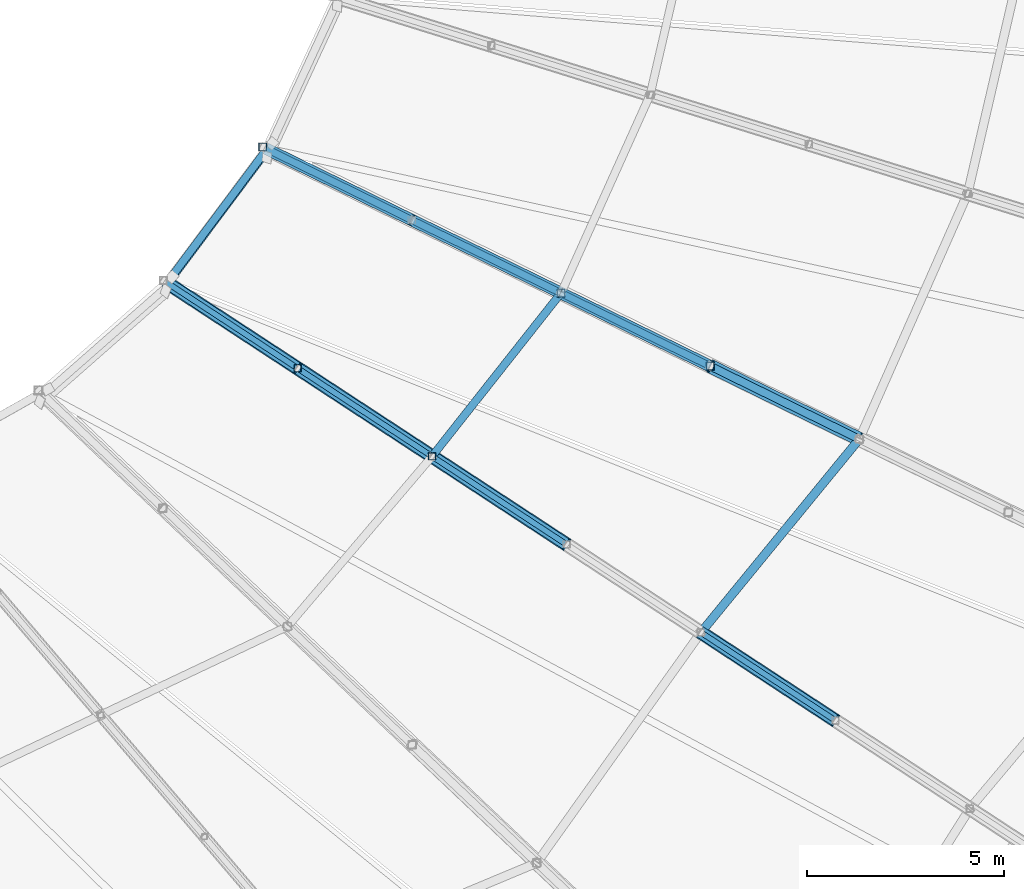
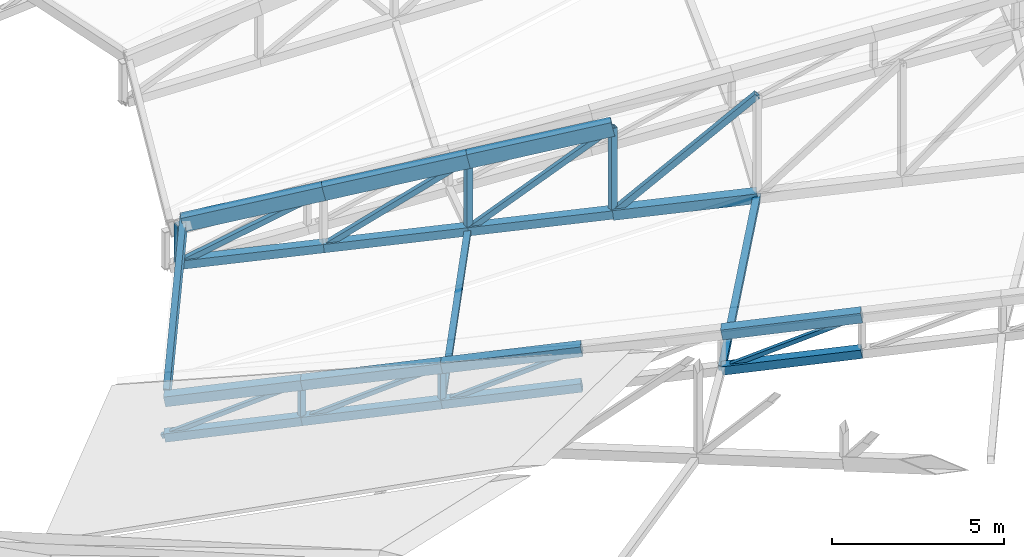
# One storey, part 85 of 344: 30 members, 1 beam.
"""IFC4 building model written with IfcOpenShell, lengths in metres."""

from ifc_helpers import new_model, si_unit, direction, frame, origin, origin_2d, place, context, subcontext, project, spatial, hollow_rectangle, extrude, material, material_profile, profile_set, type_object, element, save


model = new_model("IFC4")

# Units and contexts
model_context = context("Model", 3, precision=1e-05, world=origin(), true_north=direction((0.0, 1.0)))
body_context = subcontext(model_context, "Body", "Model", "MODEL_VIEW")
ifc_project = project(units=[si_unit("LENGTHUNIT", "METRE"), si_unit("AREAUNIT", "SQUARE_METRE"), si_unit("VOLUMEUNIT", "CUBIC_METRE"), si_unit("PLANEANGLEUNIT", "RADIAN"), si_unit("MASSUNIT", "GRAM", prefix="KILO")], contexts=[model_context])

# Site, building, storey
site_placement = place(None, origin())
site = spatial("IfcSite", under=ifc_project, at=site_placement, CompositionType="ELEMENT")
building_placement = place(site_placement, origin())
building = spatial("IfcBuilding", under=site, at=building_placement, Name="Meseta Stadium", CompositionType="ELEMENT")
storey_placement = place(building_placement, frame((0.0, 0.0, 24.0)))
storey = spatial("IfcBuildingStorey", under=building, at=storey_placement, Name="L04", CompositionType="ELEMENT", Elevation=24.0)

# Beam
ifc_material_1 = material(Name="Steel S355", Category="steel")
ifc_material_profile_1 = material_profile(ifc_material_1, hollow_rectangle(XDim=0.199951171875, YDim=0.39990234375, WallThickness=0.01611328125, at=origin_2d()), Name="RHS 400x200x16")
ifc_profile_set_1 = profile_set([ifc_material_profile_1], Name="Steel S355")
beam_type = type_object("IfcBeamType", Name="RHS 400x200x16 tip ring beam", PredefinedType="BEAM", material=ifc_profile_set_1)
beam_placement = place(storey_placement, frame((41.80712890625, -58.879638671875, 1.111572265625), z_axis=(0.473266288753, 0.633202387881, 0.612432654184), x_axis=(-0.77581564217, 0.628917502321, -0.050723413116)))
element("IfcBeam", 1, at=beam_placement, inside=storey, type_object=beam_type, Name="TIP RING BEAM 54", PredefinedType="BEAM", context=body_context, shape_type="SweptSolid", body=[
    extrude(hollow_rectangle(XDim=0.199951171875, YDim=0.39990234375, WallThickness=0.01611328125, at=origin_2d()), origin(), (0.0, 0.0, 1.0), 5.336669921875),
])

# Members
ifc_material_2 = material(Name="Steel S355", Category="steel")
ifc_material_profile_2 = material_profile(ifc_material_2, hollow_rectangle(XDim=0.300048828125, YDim=0.5, WallThickness=0.01611328125, at=origin_2d()), Name="RHS 500x300x16")
ifc_profile_set_2 = profile_set([ifc_material_profile_2], Name="Steel S355")
member_type_1 = type_object("IfcMemberType", Name="RHS 500x300x16 top chord", PredefinedType="CHORD", material=ifc_profile_set_2)
member_1_placement = place(storey_placement, frame((44.19580078125, -55.623779296875, 4.30029296875), z_axis=(0.876453366005, -0.42917587787, 0.218260310347), x_axis=(0.439778683987, 0.898106179197, 0.0)))
element("IfcMember", 2, at=member_1_placement, inside=storey, type_object=member_type_1, Name="ROOF TRUSS RT-54 top chord", PredefinedType="CHORD", context=body_context, shape_type="SweptSolid", body=[
    extrude(hollow_rectangle(XDim=0.300048828125, YDim=0.5, WallThickness=0.01611328125, at=origin_2d()), origin(), (0.0, 0.0, 1.0), 4.221435546875),
])
for number, where, z_axis, x_axis, name in (
    (3, (47.895751953125, -57.435546875, 5.2216796875), (0.876487635382, -0.429120211303, 0.218232145374), (0.439718804076, 0.89813549832, 0.0), "ROOF TRUSS RT-54 top chord"),
    (4, (51.68359375, -59.2900390625, 6.164794921875), (0.876487635382, -0.429120211303, 0.218232145374), (0.439718804076, 0.89813549832, 0.0), "ROOF TRUSS RT-54 top chord"),
):
    element("IfcMember", number, at=place(storey_placement, frame(where, z_axis=z_axis, x_axis=x_axis)), inside=storey, type_object=member_type_1, Name=name, PredefinedType="CHORD", context=body_context, shape_type="SweptSolid", body=[
        extrude(hollow_rectangle(XDim=0.300048828125, YDim=0.5, WallThickness=0.01611328125, at=origin_2d()), origin(), (0.0, 0.0, 1.0), 4.321533203125),
    ])
ifc_material_3 = material(Name="Steel S355", Category="steel")
ifc_material_profile_3 = material_profile(ifc_material_3, hollow_rectangle(XDim=0.139892578125, YDim=0.139892578125, WallThickness=0.0048828125, at=origin_2d()), Name="SHS 140x140x5")
ifc_profile_set_3 = profile_set([ifc_material_profile_3], Name="Steel S355")
member_type_2 = type_object("IfcMemberType", Name="SHS 140x140x5 diagonal", PredefinedType="BRACE", material=ifc_profile_set_3)
member_2_placement = place(storey_placement, frame((41.57958984375, -58.963623046875, -0.331298828125), z_axis=(0.746894025117, -0.489171261981, 0.450400701261), x_axis=(0.547890600116, 0.836549992711, 0.0)))
element("IfcMember", 5, at=member_2_placement, inside=storey, type_object=member_type_2, Name="ROOF TRUSS RT-53 diagonal", PredefinedType="BRACE", context=body_context, shape_type="SweptSolid", body=[
    extrude(hollow_rectangle(XDim=0.139892578125, YDim=0.139892578125, WallThickness=0.0048828125, at=origin_2d()), origin(), (0.0, 0.0, 1.0), 4.57177734375),
])
for number, where, z_axis, x_axis, name in (
    (6, (44.994140625, -61.199951171875, 0.427978515625), (0.74689812517, -0.489192373252, 0.450370972166), (0.547905042456, 0.836540533657, 0.0), "ROOF TRUSS RT-53 diagonal"),
    (7, (48.408935546875, -63.4365234375, 1.18701171875), (0.746899671396, -0.489139986415, 0.450425304084), (0.547863186454, 0.836567946391, 0.0), "ROOF TRUSS RT-53 diagonal"),
    (8, (55.23828125, -67.9091796875, 2.705322265625), (0.746899671396, -0.489139986415, 0.450425304084), (0.547863186454, 0.836567946391, 0.0), "ROOF TRUSS RT-53 diagonal"),
):
    element("IfcMember", number, at=place(storey_placement, frame(where, z_axis=z_axis, x_axis=x_axis)), inside=storey, type_object=member_type_2, Name=name, PredefinedType="BRACE", context=body_context, shape_type="SweptSolid", body=[
        extrude(hollow_rectangle(XDim=0.139892578125, YDim=0.139892578125, WallThickness=0.0048828125, at=origin_2d()), origin(), (0.0, 0.0, 1.0), 4.572021484375),
    ])
ifc_material_4 = material(Name="Steel S355", Category="steel")
ifc_material_profile_4 = material_profile(ifc_material_4, hollow_rectangle(XDim=0.179931640625, YDim=0.179931640625, WallThickness=0.00634765625, at=origin_2d()), Name="SHS 180x180x6.3")
ifc_profile_set_4 = profile_set([ifc_material_profile_4], Name="Steel S355")
member_type_3 = type_object("IfcMemberType", Name="SHS 180x180x6.3 diagonal", PredefinedType="BRACE", material=ifc_profile_set_4)
member_3_placement = place(storey_placement, frame((44.108154296875, -55.580810546875, 2.87841796875), z_axis=(0.785058518827, -0.384432742525, 0.485689806865), x_axis=(0.43978836159, 0.898101440267, 0.0)))
element("IfcMember", 9, at=member_3_placement, inside=storey, type_object=member_type_3, Name="ROOF TRUSS RT-54 diagonal", PredefinedType="BRACE", context=body_context, shape_type="SweptSolid", body=[
    extrude(hollow_rectangle(XDim=0.179931640625, YDim=0.179931640625, WallThickness=0.00634765625, at=origin_2d()), origin(), (0.0, 0.0, 1.0), 4.82470703125),
])
member_4_placement = place(storey_placement, frame((47.895751953125, -57.435546875, 3.274169921875), z_axis=(0.740828098202, -0.362702561002, 0.565349963436), x_axis=(0.439718804076, 0.89813549832, 0.0)))
element("IfcMember", 10, at=member_4_placement, inside=storey, type_object=member_type_3, Name="ROOF TRUSS RT-54 diagonal", PredefinedType="BRACE", context=body_context, shape_type="SweptSolid", body=[
    extrude(hollow_rectangle(XDim=0.179931640625, YDim=0.179931640625, WallThickness=0.00634765625, at=origin_2d()), origin(), (0.0, 0.0, 1.0), 5.113037109375),
])
member_5_placement = place(storey_placement, frame((51.68359375, -59.2900390625, 3.670166015625), z_axis=(0.696160708723, -0.340833821686, 0.631816882986), x_axis=(0.439718804076, 0.89813549832, 0.0)))
element("IfcMember", 11, at=member_5_placement, inside=storey, type_object=member_type_3, Name="ROOF TRUSS RT-54 diagonal", PredefinedType="BRACE", context=body_context, shape_type="SweptSolid", body=[
    extrude(hollow_rectangle(XDim=0.179931640625, YDim=0.179931640625, WallThickness=0.00634765625, at=origin_2d()), origin(), (0.0, 0.0, 1.0), 5.441162109375),
])
ifc_material_5 = material(Name="Steel S355", Category="steel")
ifc_material_profile_5 = material_profile(ifc_material_5, hollow_rectangle(XDim=0.179931640625, YDim=0.179931640625, WallThickness=0.00634765625, at=origin_2d()), Name="SHS 180x180x6.3")
ifc_profile_set_5 = profile_set([ifc_material_profile_5], Name="Steel S355")
member_type_4 = type_object("IfcMemberType", Name="SHS 180x180x6.3 post", PredefinedType="POST", material=ifc_profile_set_5)
member_6_placement = place(storey_placement, frame((44.994140625, -61.199951171875, 0.427978515625), z_axis=(0.0, 0.0, 1.0), x_axis=(1.0, 0.0, 0.0)))
element("IfcMember", 12, at=member_6_placement, inside=storey, type_object=member_type_4, Name="ROOF TRUSS RT-53 post", PredefinedType="POST", context=body_context, shape_type="SweptSolid", body=[
    extrude(hollow_rectangle(XDim=0.179931640625, YDim=0.179931640625, WallThickness=0.00634765625, at=origin_2d()), origin(), (0.0, 0.0, 1.0), 1.2998046875),
])
member_7_placement = place(storey_placement, frame((48.408935546875, -63.4365234375, 1.18701171875), z_axis=(0.0, 0.0, 1.0), x_axis=(1.0, 0.0, 0.0)))
element("IfcMember", 13, at=member_7_placement, inside=storey, type_object=member_type_4, Name="ROOF TRUSS RT-53 post", PredefinedType="POST", context=body_context, shape_type="SweptSolid", body=[
    extrude(hollow_rectangle(XDim=0.179931640625, YDim=0.179931640625, WallThickness=0.00634765625, at=origin_2d()), origin(), (0.0, 0.0, 1.0), 1.300048828125),
])
ifc_material_6 = material(Name="Steel S355", Category="steel")
ifc_material_profile_6 = material_profile(ifc_material_6, hollow_rectangle(XDim=0.199951171875, YDim=0.199951171875, WallThickness=0.008056640625, at=origin_2d()), Name="SHS 200x200x8")
ifc_profile_set_6 = profile_set([ifc_material_profile_6], Name="Steel S355")
member_type_5 = type_object("IfcMemberType", Name="SHS 200x200x8 diagonal", PredefinedType="BRACE", material=ifc_profile_set_6)
member_8_placement = place(storey_placement, frame((55.471435546875, -61.14453125, 4.06591796875), z_axis=(0.652771935707, -0.31965375761, 0.686811673749), x_axis=(0.43978836159, 0.898101440267, 0.0)))
element("IfcMember", 14, at=member_8_placement, inside=storey, type_object=member_type_5, Name="ROOF TRUSS RT-54 diagonal", PredefinedType="BRACE", context=body_context, shape_type="SweptSolid", body=[
    extrude(hollow_rectangle(XDim=0.199951171875, YDim=0.199951171875, WallThickness=0.008056640625, at=origin_2d()), origin(), (0.0, 0.0, 1.0), 5.80224609375),
])
ifc_material_7 = material(Name="Steel S355", Category="steel")
ifc_material_profile_7 = material_profile(ifc_material_7, hollow_rectangle(XDim=0.199951171875, YDim=0.199951171875, WallThickness=0.008056640625, at=origin_2d()), Name="SHS 200x200x8")
ifc_profile_set_7 = profile_set([ifc_material_profile_7], Name="Steel S355")
member_type_6 = type_object("IfcMemberType", Name="SHS 200x200x8 post", PredefinedType="POST", material=ifc_profile_set_7)
member_9_placement = place(storey_placement, frame((51.68359375, -59.2900390625, 3.670166015625), z_axis=(0.0, 0.0, 1.0), x_axis=(1.0, 0.0, 0.0)))
element("IfcMember", 15, at=member_9_placement, inside=storey, type_object=member_type_6, Name="ROOF TRUSS RT-54 post", PredefinedType="POST", context=body_context, shape_type="SweptSolid", body=[
    extrude(hollow_rectangle(XDim=0.199951171875, YDim=0.199951171875, WallThickness=0.008056640625, at=origin_2d()), origin(), (0.0, 0.0, 1.0), 2.49462890625),
])
member_10_placement = place(storey_placement, frame((55.471435546875, -61.14453125, 4.06591796875), z_axis=(0.0, 0.0, 1.0), x_axis=(1.0, 0.0, 0.0)))
element("IfcMember", 16, at=member_10_placement, inside=storey, type_object=member_type_6, Name="ROOF TRUSS RT-54 post", PredefinedType="POST", context=body_context, shape_type="SweptSolid", body=[
    extrude(hollow_rectangle(XDim=0.199951171875, YDim=0.199951171875, WallThickness=0.008056640625, at=origin_2d()), origin(), (0.0, 0.0, 1.0), 3.0419921875),
])
ifc_material_8 = material(Name="Steel S355", Category="steel")
ifc_material_profile_8 = material_profile(ifc_material_8, hollow_rectangle(XDim=0.199951171875, YDim=0.199951171875, WallThickness=0.008056640625, at=origin_2d()), Name="SHS 200x200x8")
ifc_profile_set_8 = profile_set([ifc_material_profile_8], Name="Steel S355")
member_type_7 = type_object("IfcMemberType", Name="SHS 200x200x8 rim post", PredefinedType="POST", material=ifc_profile_set_8)
member_11_placement = place(storey_placement, frame((44.108154296875, -55.580810546875, 2.87841796875), z_axis=(0.0, 0.0, 1.0), x_axis=(1.0, 0.0, 0.0)))
element("IfcMember", 17, at=member_11_placement, inside=storey, type_object=member_type_7, Name="ROOF TRUSS RT-54 post", PredefinedType="POST", context=body_context, shape_type="SweptSolid", body=[
    extrude(hollow_rectangle(XDim=0.199951171875, YDim=0.199951171875, WallThickness=0.008056640625, at=origin_2d()), origin(), (0.0, 0.0, 1.0), 1.400146484375),
])
ifc_material_9 = material(Name="Steel S355", Category="steel")
ifc_material_profile_9 = material_profile(ifc_material_9, hollow_rectangle(XDim=0.199951171875, YDim=0.199951171875, WallThickness=0.008056640625, at=origin_2d()), Name="SHS 200x200x8")
ifc_profile_set_9 = profile_set([ifc_material_profile_9], Name="Steel S355")
member_type_8 = type_object("IfcMemberType", Name="SHS 200x200x8 strut", PredefinedType="STRUT", material=ifc_profile_set_9)
member_12_placement = place(storey_placement, frame((48.408935546875, -63.4365234375, 1.18701171875), z_axis=(0.560916877084, 0.710252161366, 0.425340010201), x_axis=(-0.784779853435, 0.619774621651, 0.0)))
element("IfcMember", 18, at=member_12_placement, inside=storey, type_object=member_type_8, Name="ROOF TRUSS STRUT RT-53/54", PredefinedType="STRUT", context=body_context, shape_type="SweptSolid", body=[
    extrude(hollow_rectangle(XDim=0.199951171875, YDim=0.199951171875, WallThickness=0.008056640625, at=origin_2d()), origin(), (0.0, 0.0, 1.0), 5.838134765625),
])
ifc_material_10 = material(Name="Steel S355", Category="steel")
ifc_material_profile_10 = material_profile(ifc_material_10, hollow_rectangle(XDim=0.219970703125, YDim=0.219970703125, WallThickness=0.008056640625, at=origin_2d()), Name="SHS 220x220x8")
ifc_profile_set_10 = profile_set([ifc_material_profile_10], Name="Steel S355")
member_type_9 = type_object("IfcMemberType", Name="SHS 220x220x8 strut", PredefinedType="STRUT", material=ifc_profile_set_10)
member_13_placement = place(storey_placement, frame((55.23828125, -67.9091796875, 2.705322265625), z_axis=(0.610619200189, 0.745653211184, 0.266731102444), x_axis=(-0.773682980495, 0.63357292058, 0.0)))
element("IfcMember", 19, at=member_13_placement, inside=storey, type_object=member_type_9, Name="ROOF TRUSS STRUT RT-53/54", PredefinedType="STRUT", context=body_context, shape_type="SweptSolid", body=[
    extrude(hollow_rectangle(XDim=0.219970703125, YDim=0.219970703125, WallThickness=0.008056640625, at=origin_2d()), origin(), (0.0, 0.0, 1.0), 6.584716796875),
])
ifc_material_11 = material(Name="Steel S355", Category="steel")
ifc_material_profile_11 = material_profile(ifc_material_11, hollow_rectangle(XDim=0.300048828125, YDim=0.300048828125, WallThickness=0.010009765625, at=origin_2d()), Name="SHS 300x300x10")
ifc_profile_set_11 = profile_set([ifc_material_profile_11], Name="Steel S355")
member_type_10 = type_object("IfcMemberType", Name="SHS 300x300x10 bottom chord", PredefinedType="CHORD", material=ifc_profile_set_11)
member_14_placement = place(storey_placement, frame((41.653564453125, -59.01220703125, -0.31494140625), z_axis=(0.822452730761, -0.538624491731, 0.182907524644), x_axis=(0.547866939989, 0.836565488212, 0.0)))
element("IfcMember", 20, at=member_14_placement, inside=storey, type_object=member_type_10, Name="ROOF TRUSS RT-53 bottom chord", PredefinedType="CHORD", context=body_context, shape_type="SweptSolid", body=[
    extrude(hollow_rectangle(XDim=0.300048828125, YDim=0.300048828125, WallThickness=0.010009765625, at=origin_2d()), origin(), (0.0, 0.0, 1.0), 4.061767578125),
])
member_15_placement = place(storey_placement, frame((44.994140625, -61.199951171875, 0.427978515625), z_axis=(0.822443231826, -0.538671798581, 0.182810896386), x_axis=(0.547905042456, 0.836540533657, 0.0)))
element("IfcMember", 21, at=member_15_placement, inside=storey, type_object=member_type_10, Name="ROOF TRUSS RT-53 bottom chord", PredefinedType="CHORD", context=body_context, shape_type="SweptSolid", body=[
    extrude(hollow_rectangle(XDim=0.300048828125, YDim=0.300048828125, WallThickness=0.010009765625, at=origin_2d()), origin(), (0.0, 0.0, 1.0), 4.152099609375),
])
for number, where, z_axis, x_axis, name in (
    (22, (48.408935546875, -63.4365234375, 1.18701171875), (0.822460438995, -0.538624266904, 0.182873522934), (0.547863186454, 0.836567946391, 0.0), "ROOF TRUSS RT-53 bottom chord"),
    (23, (55.23828125, -67.9091796875, 2.705322265625), (0.822460438995, -0.538624266904, 0.182873522934), (0.547863186454, 0.836567946391, 0.0), "ROOF TRUSS RT-53 bottom chord"),
):
    element("IfcMember", number, at=place(storey_placement, frame(where, z_axis=z_axis, x_axis=x_axis)), inside=storey, type_object=member_type_10, Name=name, PredefinedType="CHORD", context=body_context, shape_type="SweptSolid", body=[
        extrude(hollow_rectangle(XDim=0.300048828125, YDim=0.300048828125, WallThickness=0.010009765625, at=origin_2d()), origin(), (0.0, 0.0, 1.0), 4.15185546875),
    ])
member_16_placement = place(storey_placement, frame((44.197509765625, -55.624755859375, 2.8876953125), z_axis=(0.894189820313, -0.437827165122, 0.09344484325), x_axis=(0.439751315494, 0.898119580302, 0.0)))
element("IfcMember", 24, at=member_16_placement, inside=storey, type_object=member_type_10, Name="ROOF TRUSS RT-54 bottom chord", PredefinedType="CHORD", context=body_context, shape_type="SweptSolid", body=[
    extrude(hollow_rectangle(XDim=0.300048828125, YDim=0.300048828125, WallThickness=0.010009765625, at=origin_2d()), origin(), (0.0, 0.0, 1.0), 4.1357421875),
])
for number, where, z_axis, x_axis, name in (
    (25, (47.895751953125, -57.435546875, 3.274169921875), (0.894202410479, -0.437793200773, 0.09348348758), (0.439718804076, 0.89813549832, 0.0), "ROOF TRUSS RT-54 bottom chord"),
    (26, (51.68359375, -59.2900390625, 3.670166015625), (0.8942072269, -0.437795558848, 0.093426356094), (0.439718804076, 0.89813549832, 0.0), "ROOF TRUSS RT-54 bottom chord"),
):
    element("IfcMember", number, at=place(storey_placement, frame(where, z_axis=z_axis, x_axis=x_axis)), inside=storey, type_object=member_type_10, Name=name, PredefinedType="CHORD", context=body_context, shape_type="SweptSolid", body=[
        extrude(hollow_rectangle(XDim=0.300048828125, YDim=0.300048828125, WallThickness=0.010009765625, at=origin_2d()), origin(), (0.0, 0.0, 1.0), 4.236083984375),
    ])
ifc_material_12 = material(Name="Steel S355", Category="steel")
ifc_material_profile_12 = material_profile(ifc_material_12, hollow_rectangle(XDim=0.35009765625, YDim=0.35009765625, WallThickness=0.010009765625, at=origin_2d()), Name="SHS 350x350x10")
ifc_profile_set_12 = profile_set([ifc_material_profile_12], Name="Steel S355")
member_type_11 = type_object("IfcMemberType", Name="SHS 350x350x10 top chord", PredefinedType="CHORD", material=ifc_profile_set_12)
member_17_placement = place(storey_placement, frame((41.653564453125, -59.01220703125, 0.985107421875), z_axis=(0.822461771583, -0.538630412567, 0.182849426965), x_axis=(0.547866939989, 0.836565488212, 0.0)))
element("IfcMember", 27, at=member_17_placement, inside=storey, type_object=member_type_11, Name="ROOF TRUSS RT-53 top chord", PredefinedType="CHORD", context=body_context, shape_type="SweptSolid", body=[
    extrude(hollow_rectangle(XDim=0.35009765625, YDim=0.35009765625, WallThickness=0.010009765625, at=origin_2d()), origin(), (0.0, 0.0, 1.0), 4.061767578125),
])
member_18_placement = place(storey_placement, frame((44.994140625, -61.199951171875, 1.727783203125), z_axis=(0.822434389791, -0.538666007355, 0.182867730911), x_axis=(0.547905042456, 0.836540533657, 0.0)))
element("IfcMember", 28, at=member_18_placement, inside=storey, type_object=member_type_11, Name="ROOF TRUSS RT-53 top chord", PredefinedType="CHORD", context=body_context, shape_type="SweptSolid", body=[
    extrude(hollow_rectangle(XDim=0.35009765625, YDim=0.35009765625, WallThickness=0.010009765625, at=origin_2d()), origin(), (0.0, 0.0, 1.0), 4.152099609375),
])
for number, where, z_axis, x_axis, name in (
    (29, (48.408935546875, -63.4365234375, 2.487060546875), (0.822460438995, -0.538624266904, 0.182873522934), (0.547863186454, 0.836567946391, 0.0), "ROOF TRUSS RT-53 top chord"),
    (30, (55.23828125, -67.9091796875, 4.00537109375), (0.822460438995, -0.538624266904, 0.182873522934), (0.547863186454, 0.836567946391, 0.0), "ROOF TRUSS RT-53 top chord"),
):
    element("IfcMember", number, at=place(storey_placement, frame(where, z_axis=z_axis, x_axis=x_axis)), inside=storey, type_object=member_type_11, Name=name, PredefinedType="CHORD", context=body_context, shape_type="SweptSolid", body=[
        extrude(hollow_rectangle(XDim=0.35009765625, YDim=0.35009765625, WallThickness=0.010009765625, at=origin_2d()), origin(), (0.0, 0.0, 1.0), 4.15185546875),
    ])
ifc_material_13 = material(Name="Steel S355", Category="steel")
ifc_material_profile_13 = material_profile(ifc_material_13, hollow_rectangle(XDim=0.35009765625, YDim=0.35009765625, WallThickness=0.01416015625, at=origin_2d()), Name="SHS 350x350x14.2")
ifc_profile_set_13 = profile_set([ifc_material_profile_13], Name="Steel S355")
member_type_12 = type_object("IfcMemberType", Name="SHS 350x350x14.2 bottom chord", PredefinedType="CHORD", material=ifc_profile_set_13)
member_19_placement = place(storey_placement, frame((55.471435546875, -61.14453125, 4.06591796875), z_axis=(0.894173110711, -0.437864710717, 0.093428813489), x_axis=(0.43978836159, 0.898101440267, 0.0)))
element("IfcMember", 31, at=member_19_placement, inside=storey, type_object=member_type_12, Name="ROOF TRUSS RT-54 bottom chord", PredefinedType="CHORD", context=body_context, shape_type="SweptSolid", body=[
    extrude(hollow_rectangle(XDim=0.35009765625, YDim=0.35009765625, WallThickness=0.01416015625, at=origin_2d()), origin(), (0.0, 0.0, 1.0), 4.23583984375),
])

save(model, "model.ifc")
